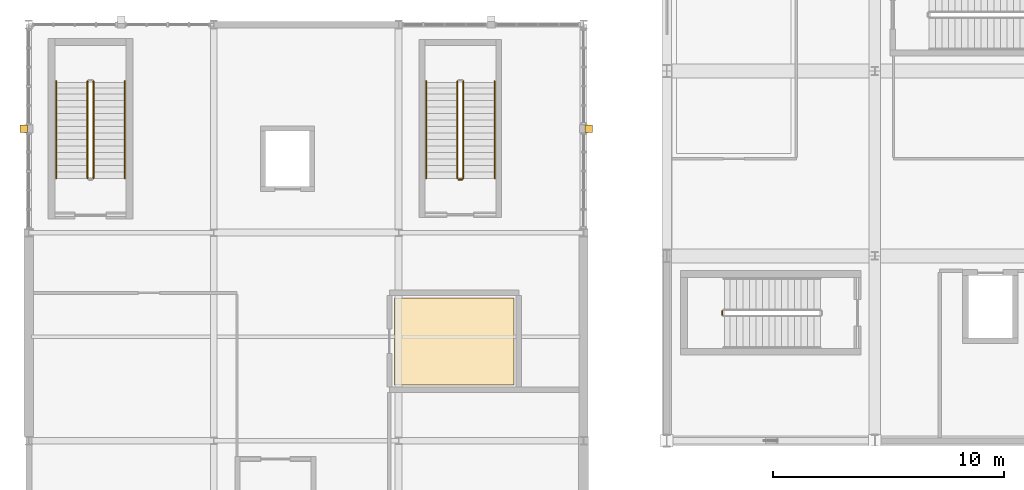
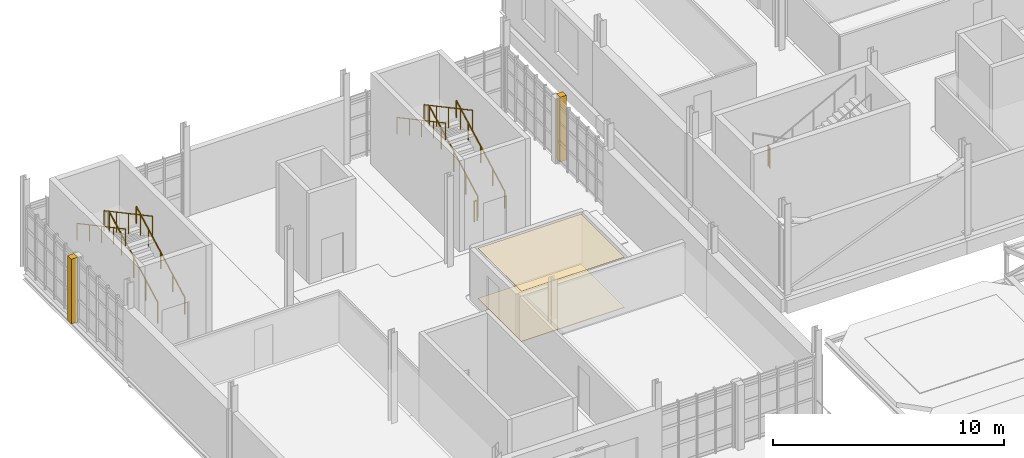
# One storey, part 121 of 128: 10 railings, 4 coverings.
"""IFC4 building model written with IfcOpenShell, lengths in metres."""

from ifc_helpers import new_model, si_unit, direction, frame, origin, origin_2d, place, context, subcontext, project, spatial, polyline, circle, outline, extrude, material, layer, layer_set, type_object, element, save


model = new_model("IFC4")

# Units and contexts
model_context = context("Model", 3, precision=1e-05, world=origin(), true_north=direction((0.0, 1.0)))
body_context = subcontext(model_context, "Body", "Model", "MODEL_VIEW")
ifc_project = project(units=[si_unit("LENGTHUNIT", "METRE"), si_unit("AREAUNIT", "SQUARE_METRE"), si_unit("VOLUMEUNIT", "CUBIC_METRE"), si_unit("PLANEANGLEUNIT", "RADIAN"), si_unit("MASSUNIT", "GRAM", prefix="KILO")], contexts=[model_context])

# Site, building, storey
site_placement = place(None, origin())
site = spatial("IfcSite", under=ifc_project, at=site_placement, CompositionType="ELEMENT")
building_placement = place(site_placement, origin())
building = spatial("IfcBuilding", under=site, at=building_placement, Name="Serraforn Aerial Cableway Station", CompositionType="ELEMENT")
storey_placement = place(building_placement, frame((0.0, 0.0, 9.0)))
storey = spatial("IfcBuildingStorey", under=building, at=storey_placement, Name="L02", CompositionType="ELEMENT", Elevation=9.0)

# Coverings
ifc_material_1 = material(Name="Fluted patinated bronze Art Deco pilaster cladding")
ifc_layer_1 = layer(ifc_material_1, 0.034912109375)
ifc_layer_set_1 = layer_set([ifc_layer_1], Name="Fluted patinated bronze Art Deco pilaster cladding")
covering_type_1 = type_object("IfcCoveringType", Name="COV-CLAD-BRZ", PredefinedType="CLADDING", material=ifc_layer_set_1)
covering_1_placement = place(storey_placement, origin())
element("IfcCovering", 1, at=covering_1_placement, inside=storey, type_object=covering_type_1, Name="Art Deco Bronze Pilaster Cladding W-L02-W3", PredefinedType="CLADDING", context=body_context, shape_type="SweptSolid", body=[
    extrude(outline(polyline([(-0.3798828125, 31.340087890625), (-0.06005859375, 31.340087890625), (-0.06005859375, 31.659912109375), (-0.3798828125, 31.659912109375), (-0.3798828125, 31.340087890625)])), origin(), (0.0, 0.0, 1.0), 3.419921875),
])
covering_2_placement = place(storey_placement, origin())
element("IfcCovering", 2, at=covering_2_placement, inside=storey, type_object=covering_type_1, Name="Art Deco Bronze Pilaster Cladding W-L02-E3", PredefinedType="CLADDING", context=body_context, shape_type="SweptSolid", body=[
    extrude(outline(polyline([(24.06005859375, 31.340087890625), (24.3798828125, 31.340087890625), (24.3798828125, 31.659912109375), (24.06005859375, 31.659912109375), (24.06005859375, 31.340087890625)])), origin(), (0.0, 0.0, 1.0), 3.419921875),
])
ifc_material_2 = material(Name="Fire-protective gypsum board ceiling")
ifc_layer_2 = layer(ifc_material_2, 0.02001953125)
ifc_layer_set_2 = layer_set([ifc_layer_2], Name="Fire-protective gypsum board ceiling")
covering_type_2 = type_object("IfcCoveringType", Name="COV-CLG-GYP", PredefinedType="CEILING", material=ifc_layer_set_2)
covering_3_placement = place(storey_placement, frame((0.0, 0.0, 2.659912109375)))
element("IfcCovering", 3, at=covering_3_placement, inside=storey, type_object=covering_type_2, Name="Suspended Ceiling L02-16", PredefinedType="CEILING", context=body_context, shape_type="SweptSolid", body=[
    extrude(outline(polyline([(15.820068359375, 20.419921875), (15.820068359375, 24.179931640625), (20.97998046875, 24.179931640625), (20.97998046875, 20.419921875), (15.820068359375, 20.419921875)])), origin(), (0.0, 0.0, 1.0), 0.02001953125),
])
ifc_material_3 = material(Name="Honed Montjuic limestone flooring", Category="masonry")
ifc_layer_3 = layer(ifc_material_3, 0.030029296875)
ifc_layer_set_3 = layer_set([ifc_layer_3], Name="Honed Montjuic limestone flooring")
covering_type_3 = type_object("IfcCoveringType", Name="COV-FLR-STN", PredefinedType="FLOORING", material=ifc_layer_set_3)
covering_4_placement = place(storey_placement, origin())
element("IfcCovering", 4, at=covering_4_placement, inside=storey, type_object=covering_type_3, Name="Flooring L02-16", PredefinedType="FLOORING", context=body_context, shape_type="SweptSolid", body=[
    extrude(outline(polyline([(15.820068359375, 20.419921875), (15.820068359375, 24.179931640625), (20.97998046875, 24.179931640625), (20.97998046875, 20.419921875), (15.820068359375, 20.419921875)])), origin(), (0.0, 0.0, 1.0), 0.030029296875),
])

# Railings
ifc_material_4 = material(Name="Patinated bronze stair guardrail")
ifc_layer_4 = layer(ifc_material_4, 0.050048828125)
ifc_layer_set_4 = layer_set([ifc_layer_4], Name="Patinated bronze stair guardrail")
railing_type_1 = type_object("IfcRailingType", Name="RL-STR-GRD", PredefinedType="GUARDRAIL", material=ifc_layer_set_4)
railing_1_placement = place(storey_placement, frame((2.800048828125, 29.35009765625, 0.14990234375)))
element("IfcRailing", 5, at=railing_1_placement, inside=storey, type_object=railing_type_1, Name="L02 ST-01 stair guard 1", PredefinedType="GUARDRAIL", context=body_context, shape_type="SweptSolid", body=[
    extrude(circle(Radius=0.02392578125, at=origin_2d()), frame((0.0, 0.0, 1.076171875), z_axis=(0.0, 0.881477684796, 0.472225678258), x_axis=(-1.0, 0.0, 0.0)), (0.0, 0.0, 1.0), 4.7646484375),
    extrude(circle(Radius=0.02099609375, at=origin_2d()), origin(), (0.0, 0.0, 1.0), 1.052001953125),
    extrude(circle(Radius=0.02099609375, at=origin_2d()), frame((0.0, 1.050048828125, 0.5625)), (0.0, 0.0, 1.0), 1.052001953125),
    extrude(circle(Radius=0.02099609375, at=origin_2d()), frame((0.0, 2.10009765625, 1.125)), (0.0, 0.0, 1.0), 1.052001953125),
    extrude(circle(Radius=0.02099609375, at=origin_2d()), frame((0.0, 3.14990234375, 1.6875)), (0.0, 0.0, 1.0), 1.052001953125),
    extrude(circle(Radius=0.02099609375, at=origin_2d()), frame((0.0, 4.199951171875, 2.25)), (0.0, 0.0, 1.0), 1.052001953125),
])
railing_2_placement = place(storey_placement, frame((2.5400390625, 33.550048828125, 2.550048828125)))
element("IfcRailing", 6, at=railing_2_placement, inside=storey, type_object=railing_type_1, Name="L02 ST-01 stair guard 3", PredefinedType="GUARDRAIL", context=body_context, shape_type="SweptSolid", body=[
    extrude(circle(Radius=0.02392578125, at=origin_2d()), frame((0.0, 0.0, 1.076171875), z_axis=(0.0, -0.881477684796, 0.472225678258), x_axis=(1.0, 0.0, 0.0)), (0.0, 0.0, 1.0), 4.7646484375),
    extrude(circle(Radius=0.02099609375, at=origin_2d()), origin(), (0.0, 0.0, 1.0), 1.052001953125),
    extrude(circle(Radius=0.02099609375, at=origin_2d()), frame((0.0, -1.050048828125, 0.5625)), (0.0, 0.0, 1.0), 1.052001953125),
    extrude(circle(Radius=0.02099609375, at=origin_2d()), frame((0.0, -2.10009765625, 1.125)), (0.0, 0.0, 1.0), 1.052001953125),
    extrude(circle(Radius=0.02099609375, at=origin_2d()), frame((0.0, -3.14990234375, 1.6875)), (0.0, 0.0, 1.0), 1.052001953125),
    extrude(circle(Radius=0.02099609375, at=origin_2d()), frame((0.0, -4.199951171875, 2.25)), (0.0, 0.0, 1.0), 1.052001953125),
])
railing_3_placement = place(storey_placement, frame((18.800048828125, 29.35009765625, 0.14990234375)))
element("IfcRailing", 7, at=railing_3_placement, inside=storey, type_object=railing_type_1, Name="L02 ST-02 stair guard 1", PredefinedType="GUARDRAIL", context=body_context, shape_type="SweptSolid", body=[
    extrude(circle(Radius=0.02392578125, at=origin_2d()), frame((0.0, 0.0, 1.076171875), z_axis=(0.0, 0.881477684796, 0.472225678258), x_axis=(-1.0, 0.0, 0.0)), (0.0, 0.0, 1.0), 4.7646484375),
    extrude(circle(Radius=0.02099609375, at=origin_2d()), origin(), (0.0, 0.0, 1.0), 1.052001953125),
    extrude(circle(Radius=0.02099609375, at=origin_2d()), frame((0.0, 1.050048828125, 0.5625)), (0.0, 0.0, 1.0), 1.052001953125),
    extrude(circle(Radius=0.02099609375, at=origin_2d()), frame((0.0, 2.10009765625, 1.125)), (0.0, 0.0, 1.0), 1.052001953125),
    extrude(circle(Radius=0.02099609375, at=origin_2d()), frame((0.0, 3.14990234375, 1.6875)), (0.0, 0.0, 1.0), 1.052001953125),
    extrude(circle(Radius=0.02099609375, at=origin_2d()), frame((0.0, 4.199951171875, 2.25)), (0.0, 0.0, 1.0), 1.052001953125),
])
railing_4_placement = place(storey_placement, frame((18.5400390625, 33.550048828125, 2.550048828125)))
element("IfcRailing", 8, at=railing_4_placement, inside=storey, type_object=railing_type_1, Name="L02 ST-02 stair guard 3", PredefinedType="GUARDRAIL", context=body_context, shape_type="SweptSolid", body=[
    extrude(circle(Radius=0.02392578125, at=origin_2d()), frame((0.0, 0.0, 1.076171875), z_axis=(0.0, -0.881477684796, 0.472225678258), x_axis=(1.0, 0.0, 0.0)), (0.0, 0.0, 1.0), 4.7646484375),
    extrude(circle(Radius=0.02099609375, at=origin_2d()), origin(), (0.0, 0.0, 1.0), 1.052001953125),
    extrude(circle(Radius=0.02099609375, at=origin_2d()), frame((0.0, -1.050048828125, 0.5625)), (0.0, 0.0, 1.0), 1.052001953125),
    extrude(circle(Radius=0.02099609375, at=origin_2d()), frame((0.0, -2.10009765625, 1.125)), (0.0, 0.0, 1.0), 1.052001953125),
    extrude(circle(Radius=0.02099609375, at=origin_2d()), frame((0.0, -3.14990234375, 1.6875)), (0.0, 0.0, 1.0), 1.052001953125),
    extrude(circle(Radius=0.02099609375, at=origin_2d()), frame((0.0, -4.199951171875, 2.25)), (0.0, 0.0, 1.0), 1.052001953125),
])
railing_5_placement = place(storey_placement, frame((18.75, 29.300048828125, 0.0)))
element("IfcRailing", 9, at=railing_5_placement, inside=storey, type_object=railing_type_1, Name="L02 ST-02 stair guard 4", PredefinedType="GUARDRAIL", context=body_context, shape_type="SweptSolid", body=[
    extrude(circle(Radius=0.02392578125, at=origin_2d()), frame((0.0, 0.0, 1.076171875), z_axis=(-1.0, 0.0, 0.0), x_axis=(0.0, -1.0, 0.0)), (0.0, 0.0, 1.0), 0.159912109375),
    extrude(circle(Radius=0.02099609375, at=origin_2d()), origin(), (0.0, 0.0, 1.0), 1.052001953125),
    extrude(circle(Radius=0.02099609375, at=origin_2d()), frame((-0.159912109375, 0.0, 0.0)), (0.0, 0.0, 1.0), 1.052001953125),
])
railing_6_placement = place(storey_placement, frame((30.0, 23.610107421875, 2.39990234375)))
element("IfcRailing", 10, at=railing_6_placement, inside=storey, type_object=railing_type_1, Name="L02 ST-03 stair guard 2", PredefinedType="GUARDRAIL", context=body_context, shape_type="SweptSolid", body=[
    extrude(circle(Radius=0.02392578125, at=origin_2d()), frame((0.0, 0.0, 1.076171875), z_axis=(0.0, -1.0, 0.0), x_axis=(1.0, 0.0, 0.0)), (0.0, 0.0, 1.0), 0.16015625),
    extrude(circle(Radius=0.02099609375, at=origin_2d()), origin(), (0.0, 0.0, 1.0), 1.052001953125),
    extrude(circle(Radius=0.02099609375, at=origin_2d()), frame((0.0, -0.16015625, 0.0)), (0.0, 0.0, 1.0), 1.052001953125),
])
ifc_material_5 = material(Name="Brushed bronze tubular handrail")
ifc_layer_5 = layer(ifc_material_5, 0.048095703125)
ifc_layer_set_5 = layer_set([ifc_layer_5], Name="Brushed bronze tubular handrail")
railing_type_2 = type_object("IfcRailingType", Name="RL-STR-HDR", PredefinedType="HANDRAIL", material=ifc_layer_set_5)
railing_7_placement = place(storey_placement, frame((4.14990234375, 29.35009765625, 0.14990234375)))
element("IfcRailing", 11, at=railing_7_placement, inside=storey, type_object=railing_type_2, Name="L02 ST-01 stair handrail 1", PredefinedType="HANDRAIL", context=body_context, shape_type="SweptSolid", body=[
    extrude(circle(Radius=0.02392578125, at=origin_2d()), frame((0.0, 0.0, 0.8759765625), z_axis=(0.0, 0.881477684796, 0.472225678258), x_axis=(-1.0, 0.0, 0.0)), (0.0, 0.0, 1.0), 4.7646484375),
    extrude(circle(Radius=0.02099609375, at=origin_2d()), origin(), (0.0, 0.0, 1.0), 0.851806640625),
    extrude(circle(Radius=0.02099609375, at=origin_2d()), frame((0.0, 1.050048828125, 0.5625)), (0.0, 0.0, 1.0), 0.851806640625),
    extrude(circle(Radius=0.02099609375, at=origin_2d()), frame((0.0, 2.10009765625, 1.125)), (0.0, 0.0, 1.0), 0.851806640625),
    extrude(circle(Radius=0.02099609375, at=origin_2d()), frame((0.0, 3.14990234375, 1.6875)), (0.0, 0.0, 1.0), 0.851806640625),
    extrude(circle(Radius=0.02099609375, at=origin_2d()), frame((0.0, 4.199951171875, 2.25)), (0.0, 0.0, 1.0), 0.851806640625),
])
railing_8_placement = place(storey_placement, frame((1.18994140625, 33.550048828125, 2.550048828125)))
element("IfcRailing", 12, at=railing_8_placement, inside=storey, type_object=railing_type_2, Name="L02 ST-01 stair handrail 2", PredefinedType="HANDRAIL", context=body_context, shape_type="SweptSolid", body=[
    extrude(circle(Radius=0.02392578125, at=origin_2d()), frame((0.0, 0.0, 0.8759765625), z_axis=(0.0, -0.881477684796, 0.472225678258), x_axis=(1.0, 0.0, 0.0)), (0.0, 0.0, 1.0), 4.7646484375),
    extrude(circle(Radius=0.02099609375, at=origin_2d()), origin(), (0.0, 0.0, 1.0), 0.851806640625),
    extrude(circle(Radius=0.02099609375, at=origin_2d()), frame((0.0, -1.050048828125, 0.5625)), (0.0, 0.0, 1.0), 0.851806640625),
    extrude(circle(Radius=0.02099609375, at=origin_2d()), frame((0.0, -2.10009765625, 1.125)), (0.0, 0.0, 1.0), 0.851806640625),
    extrude(circle(Radius=0.02099609375, at=origin_2d()), frame((0.0, -3.14990234375, 1.6875)), (0.0, 0.0, 1.0), 0.851806640625),
    extrude(circle(Radius=0.02099609375, at=origin_2d()), frame((0.0, -4.199951171875, 2.25)), (0.0, 0.0, 1.0), 0.851806640625),
])
railing_9_placement = place(storey_placement, frame((20.14990234375, 29.35009765625, 0.14990234375)))
element("IfcRailing", 13, at=railing_9_placement, inside=storey, type_object=railing_type_2, Name="L02 ST-02 stair handrail 1", PredefinedType="HANDRAIL", context=body_context, shape_type="SweptSolid", body=[
    extrude(circle(Radius=0.02392578125, at=origin_2d()), frame((0.0, 0.0, 0.8759765625), z_axis=(0.0, 0.881477684796, 0.472225678258), x_axis=(-1.0, 0.0, 0.0)), (0.0, 0.0, 1.0), 4.7646484375),
    extrude(circle(Radius=0.02099609375, at=origin_2d()), origin(), (0.0, 0.0, 1.0), 0.851806640625),
    extrude(circle(Radius=0.02099609375, at=origin_2d()), frame((0.0, 1.050048828125, 0.5625)), (0.0, 0.0, 1.0), 0.851806640625),
    extrude(circle(Radius=0.02099609375, at=origin_2d()), frame((0.0, 2.10009765625, 1.125)), (0.0, 0.0, 1.0), 0.851806640625),
    extrude(circle(Radius=0.02099609375, at=origin_2d()), frame((0.0, 3.14990234375, 1.6875)), (0.0, 0.0, 1.0), 0.851806640625),
    extrude(circle(Radius=0.02099609375, at=origin_2d()), frame((0.0, 4.199951171875, 2.25)), (0.0, 0.0, 1.0), 0.851806640625),
])
railing_10_placement = place(storey_placement, frame((17.18994140625, 33.550048828125, 2.550048828125)))
element("IfcRailing", 14, at=railing_10_placement, inside=storey, type_object=railing_type_2, Name="L02 ST-02 stair handrail 2", PredefinedType="HANDRAIL", context=body_context, shape_type="SweptSolid", body=[
    extrude(circle(Radius=0.02392578125, at=origin_2d()), frame((0.0, 0.0, 0.8759765625), z_axis=(0.0, -0.881477684796, 0.472225678258), x_axis=(1.0, 0.0, 0.0)), (0.0, 0.0, 1.0), 4.7646484375),
    extrude(circle(Radius=0.02099609375, at=origin_2d()), origin(), (0.0, 0.0, 1.0), 0.851806640625),
    extrude(circle(Radius=0.02099609375, at=origin_2d()), frame((0.0, -1.050048828125, 0.5625)), (0.0, 0.0, 1.0), 0.851806640625),
    extrude(circle(Radius=0.02099609375, at=origin_2d()), frame((0.0, -2.10009765625, 1.125)), (0.0, 0.0, 1.0), 0.851806640625),
    extrude(circle(Radius=0.02099609375, at=origin_2d()), frame((0.0, -3.14990234375, 1.6875)), (0.0, 0.0, 1.0), 0.851806640625),
    extrude(circle(Radius=0.02099609375, at=origin_2d()), frame((0.0, -4.199951171875, 2.25)), (0.0, 0.0, 1.0), 0.851806640625),
])

save(model, "model.ifc")
